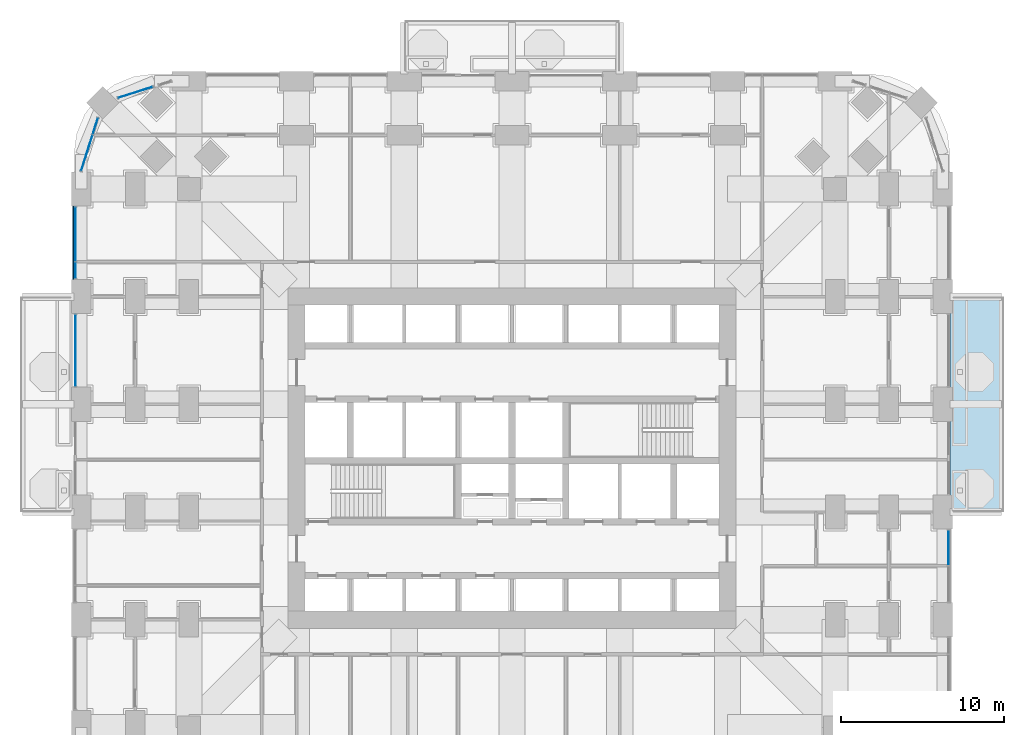
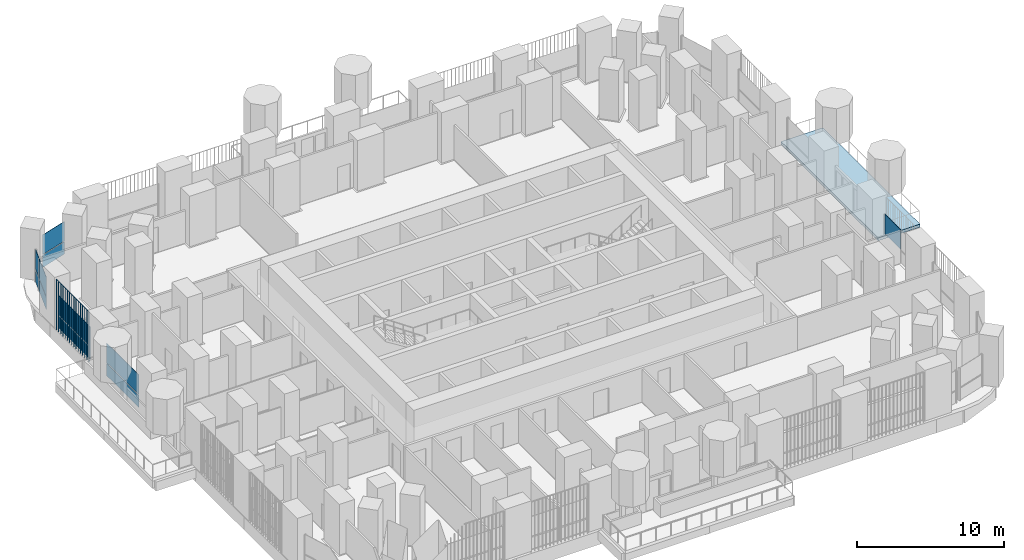
# One storey, part 14 of 26: 14 plates, 1 slab, 5 elements without a shape of their own.
"""IFC4 building model written with IfcOpenShell, lengths in metres."""

from ifc_helpers import new_model, si_unit, direction, frame, origin, origin_2d, place, context, subcontext, project, spatial, polyline, rectangle, outline, extrude, material, layer, layer_set, type_object, element, aggregate, save


model = new_model("IFC4")

# Units and contexts
model_context = context("Model", 3, precision=1e-05, world=origin(), true_north=direction((0.0, 1.0)))
body_context = subcontext(model_context, "Body", "Model", "MODEL_VIEW")
ifc_project = project(units=[si_unit("LENGTHUNIT", "METRE"), si_unit("AREAUNIT", "SQUARE_METRE"), si_unit("VOLUMEUNIT", "CUBIC_METRE"), si_unit("PLANEANGLEUNIT", "RADIAN"), si_unit("MASSUNIT", "GRAM", prefix="KILO")], contexts=[model_context])

# Site, building, storey
site_placement = place(None, origin())
site = spatial("IfcSite", under=ifc_project, at=site_placement, CompositionType="ELEMENT")
building_placement = place(site_placement, origin())
building = spatial("IfcBuilding", under=site, at=building_placement, Name="Cobogo Forest Laboratory Tower", CompositionType="ELEMENT")
storey_placement = place(building_placement, frame((0.0, 0.0, 59.10009765625)))
storey = spatial("IfcBuildingStorey", under=building, at=storey_placement, Name="L13", CompositionType="ELEMENT", Elevation=59.10009765625)

# Slab
ifc_material_1 = material(Name="Concrete HA-40 (C40/50)", Category="concrete")
ifc_layer_1 = layer(ifc_material_1, 0.25)
ifc_layer_set_1 = layer_set([ifc_layer_1], Name="Balcony slab 250")
slab_type = type_object("IfcSlabType", Name="Balcony slab 250", PredefinedType="FLOOR", material=ifc_layer_set_1)
slab_placement = place(storey_placement, frame((0.0, 0.0, -0.25)))
element("IfcSlab", 1, at=slab_placement, inside=storey, type_object=slab_type, Name="Balcony BAL-E1 L13", PredefinedType="FLOOR", context=body_context, shape_type="SweptSolid", body=[
    extrude(outline(polyline([(53.25, 19.800048828125), (56.550048828125, 19.800048828125), (56.550048828125, 33.0), (53.25, 33.0), (53.25, 19.800048828125)])), origin(), (0.0, 0.0, 1.0), 0.25),
])

# Curtain wall, plate
ifc_material_2 = material(Name="Aluminium curtain wall", Category="aluminium")
curtain_wall_type = type_object("IfcCurtainWallType", Name="CW-1 unitised curtain wall, clear glazing, laboratory floors zones A and B", PredefinedType="USERDEFINED", material=ifc_material_2)
curtain_wall_1_placement = place(storey_placement, origin())
curtain_wall_1 = element("IfcCurtainWall", 2, at=curtain_wall_1_placement, inside=storey, type_object=curtain_wall_type, Name="Curtain wall 11 L13", ObjectType="UNITISED CURTAIN WALL", PredefinedType="USERDEFINED")
ifc_material_3 = material(Name="Clear insulated glass", Category="glass")
ifc_layer_2 = layer(ifc_material_3, 0.028076171875)
ifc_layer_set_2 = layer_set([ifc_layer_2], Name="GP-1 clear insulated glass unit 28")
plate_type_1 = type_object("IfcPlateType", Name="GP-1 clear insulated glass unit 28", PredefinedType="CURTAIN_PANEL", material=ifc_layer_set_2)
plate_1_placement = place(storey_placement, frame((53.14990234375, 17.610107421875, 1.079833984375), z_axis=(0.0, 0.0, 1.0), x_axis=(0.0, 1.0, 0.0)))
plate_1 = element("IfcPlate", 3, at=plate_1_placement, type_object=plate_type_1, Name="CW-1 panel 2.2", PredefinedType="CURTAIN_PANEL", context=body_context, shape_type="SweptSolid", body=[
    extrude(rectangle(XDim=2.159912109375, YDim=0.028076171875, at=origin_2d()), origin(), (0.0, 0.0, 1.0), 1.6201171875),
])
aggregate(curtain_wall_1, [plate_1])

# Curtain wall, plates
curtain_wall_2_placement = place(storey_placement, origin())
curtain_wall_2 = element("IfcCurtainWall", 4, at=curtain_wall_2_placement, inside=storey, type_object=curtain_wall_type, Name="Curtain wall 25 L13", ObjectType="UNITISED CURTAIN WALL", PredefinedType="USERDEFINED")
plate_2_placement = place(storey_placement, frame((3.31787109375, 45.513427734375, 0.0), z_axis=(0.0, 0.0, 1.0), x_axis=(-0.953581409645, -0.301135343623, 0.0)))
plate_2 = element("IfcPlate", 5, at=plate_2_placement, type_object=plate_type_1, Name="CW-1 panel 1.1", PredefinedType="CURTAIN_PANEL", context=body_context, shape_type="SweptSolid", body=[
    extrude(rectangle(XDim=2.203369140625, YDim=0.028076171875, at=origin_2d()), origin(), (0.0, 0.0, 1.0), 1.02001953125),
])
plate_3_placement = place(storey_placement, frame((3.31787109375, 45.513427734375, 1.079833984375), z_axis=(0.0, 0.0, 1.0), x_axis=(-0.953581409645, -0.301135343623, 0.0)))
plate_3 = element("IfcPlate", 6, at=plate_3_placement, type_object=plate_type_1, Name="CW-1 panel 1.2", PredefinedType="CURTAIN_PANEL", context=body_context, shape_type="SweptSolid", body=[
    extrude(rectangle(XDim=2.203369140625, YDim=0.028076171875, at=origin_2d()), origin(), (0.0, 0.0, 1.0), 1.6201171875),
])
aggregate(curtain_wall_2, [plate_2, plate_3])

curtain_wall_3_placement = place(storey_placement, origin())
curtain_wall_3 = element("IfcCurtainWall", 7, at=curtain_wall_3_placement, inside=storey, type_object=curtain_wall_type, Name="Curtain wall 26 L13", ObjectType="UNITISED CURTAIN WALL", PredefinedType="USERDEFINED")
plate_4_placement = place(storey_placement, frame((0.863525390625, 43.442626953125, 0.0), z_axis=(0.0, 0.0, 1.0), x_axis=(-0.30113535792, -0.95358140513, 0.0)))
plate_4 = element("IfcPlate", 8, at=plate_4_placement, type_object=plate_type_1, Name="CW-1 panel 1.1", PredefinedType="CURTAIN_PANEL", context=body_context, shape_type="SweptSolid", body=[
    extrude(rectangle(XDim=1.027587890625, YDim=0.028076171875, at=origin_2d()), origin(), (0.0, 0.0, 1.0), 1.02001953125),
])
plate_5_placement = place(storey_placement, frame((0.863525390625, 43.442626953125, 1.079833984375), z_axis=(0.0, 0.0, 1.0), x_axis=(-0.30113535792, -0.95358140513, 0.0)))
plate_5 = element("IfcPlate", 9, at=plate_5_placement, type_object=plate_type_1, Name="CW-1 panel 1.2", PredefinedType="CURTAIN_PANEL", context=body_context, shape_type="SweptSolid", body=[
    extrude(rectangle(XDim=1.027587890625, YDim=0.028076171875, at=origin_2d()), origin(), (0.0, 0.0, 1.0), 1.6201171875),
])
plate_6_placement = place(storey_placement, frame((0.34521484375, 41.80126953125, 0.0), z_axis=(0.0, 0.0, 1.0), x_axis=(-0.30113535792, -0.95358140513, 0.0)))
plate_6 = element("IfcPlate", 10, at=plate_6_placement, type_object=plate_type_1, Name="CW-1 panel 2.1", PredefinedType="CURTAIN_PANEL", context=body_context, shape_type="SweptSolid", body=[
    extrude(rectangle(XDim=2.294677734375, YDim=0.028076171875, at=origin_2d()), origin(), (0.0, 0.0, 1.0), 1.02001953125),
])
plate_7_placement = place(storey_placement, frame((0.34521484375, 41.80126953125, 1.079833984375), z_axis=(0.0, 0.0, 1.0), x_axis=(-0.30113535792, -0.95358140513, 0.0)))
plate_7 = element("IfcPlate", 11, at=plate_7_placement, type_object=plate_type_1, Name="CW-1 panel 2.2", PredefinedType="CURTAIN_PANEL", context=body_context, shape_type="SweptSolid", body=[
    extrude(rectangle(XDim=2.294677734375, YDim=0.028076171875, at=origin_2d()), origin(), (0.0, 0.0, 1.0), 1.6201171875),
])
aggregate(curtain_wall_3, [plate_4, plate_5, plate_6, plate_7])

curtain_wall_4_placement = place(storey_placement, origin())
curtain_wall_4 = element("IfcCurtainWall", 12, at=curtain_wall_4_placement, inside=storey, type_object=curtain_wall_type, Name="Curtain wall 27 L13", ObjectType="UNITISED CURTAIN WALL", PredefinedType="USERDEFINED")
plate_8_placement = place(storey_placement, frame((-0.35009765625, 36.822509765625, 0.0), z_axis=(0.0, 0.0, 1.0), x_axis=(0.0, -1.0, 0.0)))
plate_8 = element("IfcPlate", 13, at=plate_8_placement, type_object=plate_type_1, Name="CW-1 panel 1.1", PredefinedType="CURTAIN_PANEL", context=body_context, shape_type="SweptSolid", body=[
    extrude(rectangle(XDim=3.3349609375, YDim=0.028076171875, at=origin_2d()), origin(), (0.0, 0.0, 1.0), 1.02001953125),
])
plate_9_placement = place(storey_placement, frame((-0.35009765625, 36.822509765625, 1.079833984375), z_axis=(0.0, 0.0, 1.0), x_axis=(0.0, -1.0, 0.0)))
plate_9 = element("IfcPlate", 14, at=plate_9_placement, type_object=plate_type_1, Name="CW-1 panel 1.2", PredefinedType="CURTAIN_PANEL", context=body_context, shape_type="SweptSolid", body=[
    extrude(rectangle(XDim=3.3349609375, YDim=0.028076171875, at=origin_2d()), origin(), (0.0, 0.0, 1.0), 1.6201171875),
])
plate_10_placement = place(storey_placement, frame((-0.35009765625, 34.6025390625, 0.0), z_axis=(0.0, 0.0, 1.0), x_axis=(0.0, -1.0, 0.0)))
plate_10 = element("IfcPlate", 15, at=plate_10_placement, type_object=plate_type_1, Name="CW-1 panel 2.1", PredefinedType="CURTAIN_PANEL", context=body_context, shape_type="SweptSolid", body=[
    extrude(rectangle(XDim=0.985107421875, YDim=0.028076171875, at=origin_2d()), origin(), (0.0, 0.0, 1.0), 1.02001953125),
])
plate_11_placement = place(storey_placement, frame((-0.35009765625, 34.6025390625, 1.079833984375), z_axis=(0.0, 0.0, 1.0), x_axis=(0.0, -1.0, 0.0)))
plate_11 = element("IfcPlate", 16, at=plate_11_placement, type_object=plate_type_1, Name="CW-1 panel 2.2", PredefinedType="CURTAIN_PANEL", context=body_context, shape_type="SweptSolid", body=[
    extrude(rectangle(XDim=0.985107421875, YDim=0.028076171875, at=origin_2d()), origin(), (0.0, 0.0, 1.0), 1.6201171875),
])
aggregate(curtain_wall_4, [plate_8, plate_9, plate_10, plate_11])

curtain_wall_5_placement = place(storey_placement, origin())
curtain_wall_5 = element("IfcCurtainWall", 17, at=curtain_wall_5_placement, inside=storey, type_object=curtain_wall_type, Name="Curtain wall 28 L13", ObjectType="UNITISED CURTAIN WALL", PredefinedType="USERDEFINED")
plate_12_placement = place(storey_placement, frame((-0.35009765625, 29.699951171875, 0.0), z_axis=(0.0, 0.0, 1.0), x_axis=(0.0, -1.0, 0.0)))
plate_12 = element("IfcPlate", 18, at=plate_12_placement, type_object=plate_type_1, Name="CW-1 panel 1.1", PredefinedType="CURTAIN_PANEL", context=body_context, shape_type="SweptSolid", body=[
    extrude(rectangle(XDim=4.3798828125, YDim=0.028076171875, at=origin_2d()), origin(), (0.0, 0.0, 1.0), 1.02001953125),
])
plate_13_placement = place(storey_placement, frame((-0.35009765625, 29.699951171875, 1.079833984375), z_axis=(0.0, 0.0, 1.0), x_axis=(0.0, -1.0, 0.0)))
plate_13 = element("IfcPlate", 19, at=plate_13_placement, type_object=plate_type_1, Name="CW-1 panel 1.2", PredefinedType="CURTAIN_PANEL", context=body_context, shape_type="SweptSolid", body=[
    extrude(rectangle(XDim=4.3798828125, YDim=0.028076171875, at=origin_2d()), origin(), (0.0, 0.0, 1.0), 1.6201171875),
])
aggregate(curtain_wall_5, [plate_12, plate_13])

# Plate
ifc_material_4 = material(Name="Terracotta", Category="masonry")
plate_type_2 = type_object("IfcPlateType", Name="TB1 terracotta baguette screen", PredefinedType="USERDEFINED", material=ifc_material_4)
plate_14_placement = place(storey_placement, frame((-0.477783203125, 34.081298828125, -0.150146484375)))
element("IfcPlate", 20, at=plate_14_placement, inside=storey, type_object=plate_type_2, Name="Baguette screen W5 L13", ObjectType="BAGUETTE SCREEN", PredefinedType="USERDEFINED", context=body_context, shape_type="SweptSolid", body=[
    extrude(outline(polyline([(0.02880859375, 0.011962890625), (0.011962890625, 0.02880859375), (-0.011962890625, 0.02880859375), (-0.02880859375, 0.011962890625), (-0.02880859375, -0.011962890625), (-0.011962890625, -0.02880859375), (0.011962890625, -0.02880859375), (0.02880859375, -0.011962890625), (0.02880859375, 0.011962890625)])), frame((0.0, 0.0, 4.168701171875), z_axis=(0.0, 1.0, 0.0), x_axis=(-1.0, 0.0, 0.0)), (0.0, 0.0, 1.0), 4.4375),
    extrude(outline(polyline([(0.02880859375, 0.011962890625), (0.011962890625, 0.02880859375), (-0.011962890625, 0.02880859375), (-0.02880859375, 0.011962890625), (-0.02880859375, -0.011962890625), (-0.011962890625, -0.02880859375), (0.011962890625, -0.02880859375), (0.02880859375, -0.011962890625), (0.02880859375, 0.011962890625)])), origin(), (0.0, 0.0, 1.0), 4.137451171875),
    extrude(outline(polyline([(0.02880859375, 0.011962890625), (0.011962890625, 0.02880859375), (-0.011962890625, 0.02880859375), (-0.02880859375, 0.011962890625), (-0.02880859375, -0.011962890625), (-0.011962890625, -0.02880859375), (0.011962890625, -0.02880859375), (0.02880859375, -0.011962890625), (0.02880859375, 0.011962890625)])), frame((0.0, 0.2958984375, 0.0)), (0.0, 0.0, 1.0), 4.137451171875),
    extrude(outline(polyline([(0.02880859375, 0.011962890625), (0.011962890625, 0.02880859375), (-0.011962890625, 0.02880859375), (-0.02880859375, 0.011962890625), (-0.02880859375, -0.011962890625), (-0.011962890625, -0.02880859375), (0.011962890625, -0.02880859375), (0.02880859375, -0.011962890625), (0.02880859375, 0.011962890625)])), frame((0.0, 0.591552734375, 0.0)), (0.0, 0.0, 1.0), 4.137451171875),
    extrude(outline(polyline([(0.02880859375, 0.011962890625), (0.011962890625, 0.02880859375), (-0.011962890625, 0.02880859375), (-0.02880859375, 0.011962890625), (-0.02880859375, -0.011962890625), (-0.011962890625, -0.02880859375), (0.011962890625, -0.02880859375), (0.02880859375, -0.011962890625), (0.02880859375, 0.011962890625)])), frame((0.0, 0.887451171875, 0.0)), (0.0, 0.0, 1.0), 4.137451171875),
    extrude(outline(polyline([(0.02880859375, 0.011962890625), (0.011962890625, 0.02880859375), (-0.011962890625, 0.02880859375), (-0.02880859375, 0.011962890625), (-0.02880859375, -0.011962890625), (-0.011962890625, -0.02880859375), (0.011962890625, -0.02880859375), (0.02880859375, -0.011962890625), (0.02880859375, 0.011962890625)])), frame((0.0, 1.183349609375, 0.0)), (0.0, 0.0, 1.0), 4.137451171875),
    extrude(outline(polyline([(0.02880859375, 0.011962890625), (0.011962890625, 0.02880859375), (-0.011962890625, 0.02880859375), (-0.02880859375, 0.011962890625), (-0.02880859375, -0.011962890625), (-0.011962890625, -0.02880859375), (0.011962890625, -0.02880859375), (0.02880859375, -0.011962890625), (0.02880859375, 0.011962890625)])), frame((0.0, 1.479248046875, 0.0)), (0.0, 0.0, 1.0), 4.137451171875),
    extrude(outline(polyline([(0.02880859375, 0.011962890625), (0.011962890625, 0.02880859375), (-0.011962890625, 0.02880859375), (-0.02880859375, 0.011962890625), (-0.02880859375, -0.011962890625), (-0.011962890625, -0.02880859375), (0.011962890625, -0.02880859375), (0.02880859375, -0.011962890625), (0.02880859375, 0.011962890625)])), frame((0.0, 1.77490234375, 0.0)), (0.0, 0.0, 1.0), 4.137451171875),
    extrude(outline(polyline([(0.02880859375, 0.011962890625), (0.011962890625, 0.02880859375), (-0.011962890625, 0.02880859375), (-0.02880859375, 0.011962890625), (-0.02880859375, -0.011962890625), (-0.011962890625, -0.02880859375), (0.011962890625, -0.02880859375), (0.02880859375, -0.011962890625), (0.02880859375, 0.011962890625)])), frame((0.0, 2.07080078125, 0.0)), (0.0, 0.0, 1.0), 4.137451171875),
    extrude(outline(polyline([(0.02880859375, 0.011962890625), (0.011962890625, 0.02880859375), (-0.011962890625, 0.02880859375), (-0.02880859375, 0.011962890625), (-0.02880859375, -0.011962890625), (-0.011962890625, -0.02880859375), (0.011962890625, -0.02880859375), (0.02880859375, -0.011962890625), (0.02880859375, 0.011962890625)])), frame((0.0, 2.36669921875, 0.0)), (0.0, 0.0, 1.0), 4.137451171875),
    extrude(outline(polyline([(0.02880859375, 0.011962890625), (0.011962890625, 0.02880859375), (-0.011962890625, 0.02880859375), (-0.02880859375, 0.011962890625), (-0.02880859375, -0.011962890625), (-0.011962890625, -0.02880859375), (0.011962890625, -0.02880859375), (0.02880859375, -0.011962890625), (0.02880859375, 0.011962890625)])), frame((0.0, 2.66259765625, 0.0)), (0.0, 0.0, 1.0), 4.137451171875),
    extrude(outline(polyline([(0.02880859375, 0.011962890625), (0.011962890625, 0.02880859375), (-0.011962890625, 0.02880859375), (-0.02880859375, 0.011962890625), (-0.02880859375, -0.011962890625), (-0.011962890625, -0.02880859375), (0.011962890625, -0.02880859375), (0.02880859375, -0.011962890625), (0.02880859375, 0.011962890625)])), frame((0.0, 2.958251953125, 0.0)), (0.0, 0.0, 1.0), 4.137451171875),
    extrude(outline(polyline([(0.02880859375, 0.011962890625), (0.011962890625, 0.02880859375), (-0.011962890625, 0.02880859375), (-0.02880859375, 0.011962890625), (-0.02880859375, -0.011962890625), (-0.011962890625, -0.02880859375), (0.011962890625, -0.02880859375), (0.02880859375, -0.011962890625), (0.02880859375, 0.011962890625)])), frame((0.0, 3.254150390625, 0.0)), (0.0, 0.0, 1.0), 4.137451171875),
    extrude(outline(polyline([(0.02880859375, 0.011962890625), (0.011962890625, 0.02880859375), (-0.011962890625, 0.02880859375), (-0.02880859375, 0.011962890625), (-0.02880859375, -0.011962890625), (-0.011962890625, -0.02880859375), (0.011962890625, -0.02880859375), (0.02880859375, -0.011962890625), (0.02880859375, 0.011962890625)])), frame((0.0, 3.550048828125, 0.0)), (0.0, 0.0, 1.0), 4.137451171875),
    extrude(outline(polyline([(0.02880859375, 0.011962890625), (0.011962890625, 0.02880859375), (-0.011962890625, 0.02880859375), (-0.02880859375, 0.011962890625), (-0.02880859375, -0.011962890625), (-0.011962890625, -0.02880859375), (0.011962890625, -0.02880859375), (0.02880859375, -0.011962890625), (0.02880859375, 0.011962890625)])), frame((0.0, 3.845947265625, 0.0)), (0.0, 0.0, 1.0), 4.137451171875),
    extrude(outline(polyline([(0.02880859375, 0.011962890625), (0.011962890625, 0.02880859375), (-0.011962890625, 0.02880859375), (-0.02880859375, 0.011962890625), (-0.02880859375, -0.011962890625), (-0.011962890625, -0.02880859375), (0.011962890625, -0.02880859375), (0.02880859375, -0.011962890625), (0.02880859375, 0.011962890625)])), frame((0.0, 4.1416015625, 0.0)), (0.0, 0.0, 1.0), 4.137451171875),
    extrude(outline(polyline([(0.02880859375, 0.011962890625), (0.011962890625, 0.02880859375), (-0.011962890625, 0.02880859375), (-0.02880859375, 0.011962890625), (-0.02880859375, -0.011962890625), (-0.011962890625, -0.02880859375), (0.011962890625, -0.02880859375), (0.02880859375, -0.011962890625), (0.02880859375, 0.011962890625)])), frame((0.0, 4.4375, 0.0)), (0.0, 0.0, 1.0), 4.137451171875),
])

save(model, "model.ifc")
